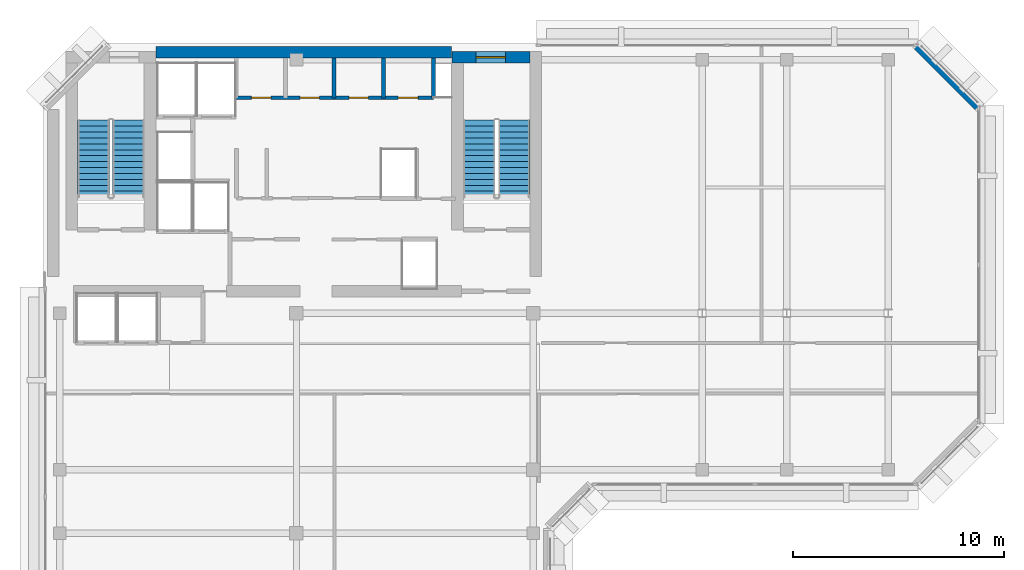
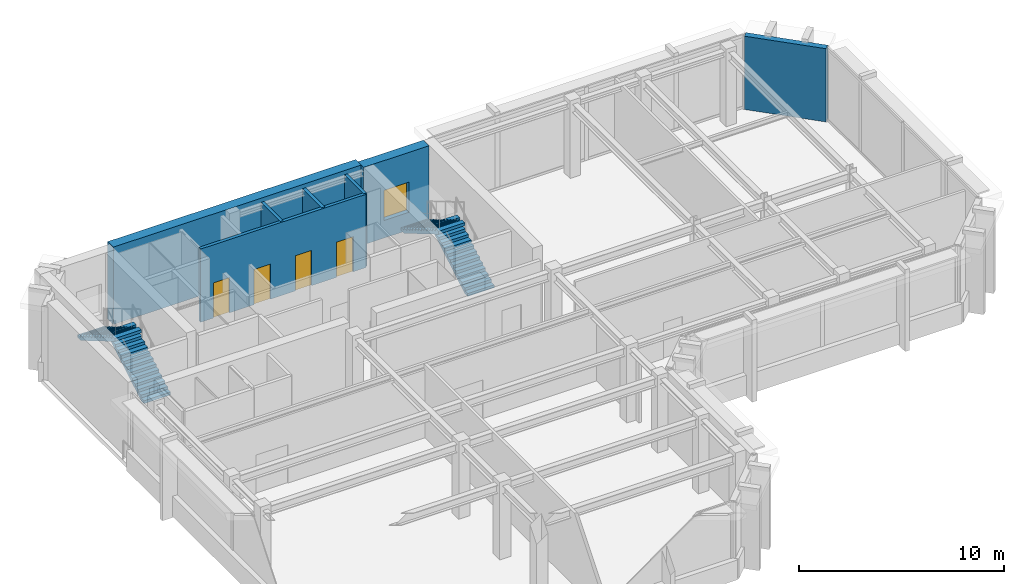
# One storey, part 6 of 9: 7 walls, 4 doors, 4 stair flights, 1 window, 5 openings, 2 elements without a shape of their own.
"""IFC4 building model written with IfcOpenShell, lengths in metres."""

from ifc_helpers import new_model, si_unit, direction, frame, frame_2d, origin, place, context, subcontext, project, spatial, polyline, rectangle, outline, extrude, material, layer, layer_set, type_object, element, fill, aggregate, save


model = new_model("IFC4")

# Units and contexts
model_context = context("Model", 3, precision=1e-05, world=origin(), true_north=direction((0.0, 1.0)))
body_context = subcontext(model_context, "Body", "Model", "MODEL_VIEW")
ifc_project = project(units=[si_unit("LENGTHUNIT", "METRE"), si_unit("AREAUNIT", "SQUARE_METRE"), si_unit("VOLUMEUNIT", "CUBIC_METRE"), si_unit("PLANEANGLEUNIT", "RADIAN"), si_unit("MASSUNIT", "GRAM", prefix="KILO")], contexts=[model_context])

# Site, building, storey
site_placement = place(None, origin())
site = spatial("IfcSite", under=ifc_project, at=site_placement, CompositionType="ELEMENT")
building_placement = place(site_placement, origin())
building = spatial("IfcBuilding", under=site, at=building_placement, Name="Kefirva Bronze Tower", CompositionType="ELEMENT")
storey_placement = place(building_placement, frame((0.0, 0.0, 352.110107421875)))
storey = spatial("IfcBuildingStorey", under=building, at=storey_placement, Name="L86", CompositionType="ELEMENT", Elevation=352.110107421875)

# Walls
ifc_material_1 = material(Name="Precast concrete C40/50", Category="concrete")
ifc_layer_1 = layer(ifc_material_1, 0.320068359375, Name="Precast concrete C40/50")
ifc_layer_set_1 = layer_set([ifc_layer_1], Name="Precast concrete C40/50")
wall_type_1 = type_object("IfcWallType", Name="Precast Insulated Exterior Wall 320mm", PredefinedType="SOLIDWALL", material=ifc_layer_set_1)
wall_1_placement = place(storey_placement, frame((44.248046875, 42.92578125, 0.0), z_axis=(0.0, 0.0, 1.0), x_axis=(-0.707136318428, 0.707077242712, 0.0)))
element("IfcWall", 1, at=wall_1_placement, inside=storey, type_object=wall_type_1, Name="L86 Exterior Facade Wall 5", PredefinedType="SOLIDWALL", context=body_context, shape_type="SweptSolid", body=[
    extrude(rectangle(XDim=4.132568359375, YDim=0.320068359375, at=frame_2d((2.06640625, 0.0))), origin(), (0.0, 0.0, 1.0), 4.369873046875),
])
ifc_material_2 = material(Name="Concrete C50/60", Category="concrete")
ifc_layer_2 = layer(ifc_material_2, 0.550048828125, Name="Concrete C50/60")
ifc_layer_set_2 = layer_set([ifc_layer_2], Name="Concrete C50/60")
wall_type_2 = type_object("IfcWallType", Name="RC Rear Core Exterior Wall 550mm", PredefinedType="SHEAR", material=ifc_layer_set_2)
wall_2_placement = place(storey_placement, frame((5.360107421875, 45.550048828125, 0.0), z_axis=(0.0, 0.0, 1.0), x_axis=(1.0, 0.0, 0.0)))
element("IfcWall", 2, at=wall_2_placement, inside=storey, type_object=wall_type_2, Name="L86 Rear Core North Shear Wall", PredefinedType="SHEAR", context=body_context, shape_type="SweptSolid", body=[
    extrude(rectangle(XDim=13.97998046875, YDim=0.550048828125, at=frame_2d((6.989990234375, 0.0))), origin(), (0.0, 0.0, 1.0), 4.619873046875),
])

# Wall, opening, window
wall_3_placement = place(storey_placement, frame((19.35009765625, 45.320068359375, 0.0), z_axis=(0.0, 0.0, 1.0), x_axis=(1.0, 0.0, 0.0)))
wall_3 = element("IfcWall", 3, at=wall_3_placement, inside=storey, type_object=wall_type_2, Name="L86 Stair 2 North Shear Wall", PredefinedType="SHEAR", context=body_context, shape_type="SweptSolid", body=[
    extrude(rectangle(XDim=3.68994140625, YDim=0.550048828125, at=frame_2d((1.844970703125, 0.0))), origin(), (0.0, 0.0, 1.0), 4.619873046875),
])
opening_1_placement = place(wall_3_placement, frame((1.14990234375, 0.0, 1.050048828125)))
opening_1 = element("IfcOpeningElement", 4, at=opening_1_placement, cuts=wall_3, Name="Opening WN-03", PredefinedType="OPENING", context=body_context, shape_type="SweptSolid", body=[
    extrude(rectangle(XDim=1.39990234375, YDim=1.800048828125, at=frame_2d((0.699951171875, 0.89990234375))), frame((0.0, 0.28515625, 0.0), z_axis=(0.0, -1.0, 0.0), x_axis=(1.0, 0.0, 0.0)), (0.0, 0.0, 1.0), 0.570068359375),
])
ifc_material_3 = material(Name="Laminated low-E double glazing", Category="glass")
window_type = type_object("IfcWindowType", Name="Rear-Core Stair Daylight Window 1400x1800", PartitioningType="SINGLE_PANEL", PredefinedType="WINDOW", material=ifc_material_3)
window_placement = place(opening_1_placement, origin())
window = element("IfcWindow", 5, at=window_placement, inside=storey, type_object=window_type, Name="L86 Stair 2 Daylight Window", OverallHeight=1.800048828125, OverallWidth=1.39990234375, PartitioningType="SINGLE_PANEL", PredefinedType="WINDOW", context=body_context, shape_type="SweptSolid", body=[
    extrude(rectangle(XDim=1.39990234375, YDim=1.800048828125, at=frame_2d((0.699951171875, 0.89990234375))), frame((0.0, 0.030029296875, 0.0), z_axis=(0.0, -1.0, 0.0), x_axis=(1.0, 0.0, 0.0)), (0.0, 0.0, 1.0), 0.06005859375),
])
fill(opening_1, window)

# Wall, openings, doors
ifc_material_4 = material(Name="Moisture-resistant partition")
ifc_layer_3 = layer(ifc_material_4, 0.179931640625, Name="Moisture-resistant partition")
ifc_layer_set_3 = layer_set([ifc_layer_3], Name="Moisture-resistant partition")
wall_type_3 = type_object("IfcWallType", Name="Sanitary Plumbing Chase Wall 180mm", PredefinedType="PLUMBINGWALL", material=ifc_layer_set_3)
wall_4_placement = place(storey_placement, frame((9.14990234375, 43.39990234375, 0.0), z_axis=(0.0, 0.0, 1.0), x_axis=(1.0, 0.0, 0.0)))
wall_4 = element("IfcWall", 6, at=wall_4_placement, inside=storey, type_object=wall_type_3, Name="L86 Partition W-L86-SVCS", PredefinedType="PLUMBINGWALL", context=body_context, shape_type="SweptSolid", body=[
    extrude(rectangle(XDim=9.330078125, YDim=0.179931640625, at=frame_2d((4.6650390625, 0.0))), origin(), (0.0, 0.0, 1.0), 4.369873046875),
])
opening_2_placement = place(wall_4_placement, frame((0.719970703125, 0.0, 0.0)))
opening_2 = element("IfcOpeningElement", 7, at=opening_2_placement, cuts=wall_4, Name="Opening L86-D-CSVC1", PredefinedType="OPENING", context=body_context, shape_type="SweptSolid", body=[
    extrude(rectangle(XDim=0.919921875, YDim=2.10009765625, at=frame_2d((0.4599609375, 1.050048828125))), frame((0.0, 0.10009765625, 0.0), z_axis=(0.0, -1.0, 0.0), x_axis=(1.0, 0.0, 0.0)), (0.0, 0.0, 1.0), 0.199951171875),
])
opening_3_placement = place(wall_4_placement, frame((3.02001953125, 0.0, 0.0)))
opening_3 = element("IfcOpeningElement", 8, at=opening_3_placement, cuts=wall_4, Name="Opening L86-D-CSVC2", PredefinedType="OPENING", context=body_context, shape_type="SweptSolid", body=[
    extrude(rectangle(XDim=0.919921875, YDim=2.10009765625, at=frame_2d((0.4599609375, 1.050048828125))), frame((0.0, 0.10009765625, 0.0), z_axis=(0.0, -1.0, 0.0), x_axis=(1.0, 0.0, 0.0)), (0.0, 0.0, 1.0), 0.199951171875),
])
opening_4_placement = place(wall_4_placement, frame((5.340087890625, 0.0, 0.0)))
opening_4 = element("IfcOpeningElement", 9, at=opening_4_placement, cuts=wall_4, Name="Opening L86-D-CSVC3", PredefinedType="OPENING", context=body_context, shape_type="SweptSolid", body=[
    extrude(rectangle(XDim=0.919921875, YDim=2.10009765625, at=frame_2d((0.4599609375, 1.050048828125))), frame((0.0, 0.10009765625, 0.0), z_axis=(0.0, -1.0, 0.0), x_axis=(1.0, 0.0, 0.0)), (0.0, 0.0, 1.0), 0.199951171875),
])
opening_5_placement = place(wall_4_placement, frame((7.659912109375, 0.0, 0.0)))
opening_5 = element("IfcOpeningElement", 10, at=opening_5_placement, cuts=wall_4, Name="Opening L86-D-CSVC4", PredefinedType="OPENING", context=body_context, shape_type="SweptSolid", body=[
    extrude(rectangle(XDim=0.949951171875, YDim=2.10009765625, at=frame_2d((0.47509765625, 1.050048828125))), frame((0.0, 0.10009765625, 0.0), z_axis=(0.0, -1.0, 0.0), x_axis=(1.0, 0.0, 0.0)), (0.0, 0.0, 1.0), 0.199951171875),
])
ifc_material_5 = material(Name="Moisture-resistant timber", Category="wood")
door_type_1 = type_object("IfcDoorType", Name="Accessible Sanitary & WC Door 920x2100", OperationType="NOTDEFINED", PredefinedType="DOOR", material=ifc_material_5)
door_1_placement = place(opening_2_placement, origin())
door_1 = element("IfcDoor", 11, at=door_1_placement, inside=storey, type_object=door_type_1, Name="Door L86-D-CSVC1", OperationType="SINGLE_SWING_LEFT", OverallHeight=2.10009765625, OverallWidth=0.919921875, PredefinedType="DOOR", context=body_context, shape_type="SweptSolid", body=[
    extrude(rectangle(XDim=0.919921875, YDim=2.10009765625, at=frame_2d((0.4599609375, 1.050048828125))), frame((0.0, 0.02490234375, 0.0), z_axis=(0.0, -1.0, 0.0), x_axis=(1.0, 0.0, 0.0)), (0.0, 0.0, 1.0), 0.050048828125),
])
fill(opening_2, door_1)
door_2_placement = place(opening_3_placement, origin())
door_2 = element("IfcDoor", 12, at=door_2_placement, inside=storey, type_object=door_type_1, Name="Door L86-D-CSVC2", OperationType="SINGLE_SWING_RIGHT", OverallHeight=2.10009765625, OverallWidth=0.919921875, PredefinedType="DOOR", context=body_context, shape_type="SweptSolid", body=[
    extrude(rectangle(XDim=0.919921875, YDim=2.10009765625, at=frame_2d((0.4599609375, 1.050048828125))), frame((0.0, 0.02490234375, 0.0), z_axis=(0.0, -1.0, 0.0), x_axis=(1.0, 0.0, 0.0)), (0.0, 0.0, 1.0), 0.050048828125),
])
fill(opening_3, door_2)
door_3_placement = place(opening_4_placement, origin())
door_3 = element("IfcDoor", 13, at=door_3_placement, inside=storey, type_object=door_type_1, Name="Door L86-D-CSVC3", OperationType="SINGLE_SWING_LEFT", OverallHeight=2.10009765625, OverallWidth=0.919921875, PredefinedType="DOOR", context=body_context, shape_type="SweptSolid", body=[
    extrude(rectangle(XDim=0.919921875, YDim=2.10009765625, at=frame_2d((0.4599609375, 1.050048828125))), frame((0.0, 0.02490234375, 0.0), z_axis=(0.0, -1.0, 0.0), x_axis=(1.0, 0.0, 0.0)), (0.0, 0.0, 1.0), 0.050048828125),
])
fill(opening_4, door_3)
ifc_material_6 = material(Name="Painted galvanized steel", Category="steel")
door_type_2 = type_object("IfcDoorType", Name="Riser & Plant Shaft Fire Door 950x2100 FD60S", OperationType="NOTDEFINED", PredefinedType="DOOR", material=ifc_material_6)
door_4_placement = place(opening_5_placement, origin())
door_4 = element("IfcDoor", 14, at=door_4_placement, inside=storey, type_object=door_type_2, Name="Door L86-D-CSVC4", OperationType="SINGLE_SWING_RIGHT", OverallHeight=2.10009765625, OverallWidth=0.949951171875, PredefinedType="DOOR", context=body_context, shape_type="SweptSolid", body=[
    extrude(rectangle(XDim=0.949951171875, YDim=2.10009765625, at=frame_2d((0.47509765625, 1.050048828125))), frame((0.0, 0.02490234375, 0.0), z_axis=(0.0, -1.0, 0.0), x_axis=(1.0, 0.0, 0.0)), (0.0, 0.0, 1.0), 0.050048828125),
])
fill(opening_5, door_4)

# Walls
for number, where, z_axis, x_axis, name in (
    (15, (18.47998046875, 43.39990234375, 0.0), (0.0, 0.0, 1.0), (0.0, 1.0, 0.0), "L86 Partition W-L86-SVCE"),
    (16, (13.780029296875, 43.39990234375, 0.0), (0.0, 0.0, 1.0), (0.0, 1.0, 0.0), "L86 Partition W-L86-CSVD-2"),
    (17, (16.1201171875, 43.39990234375, 0.0), (0.0, 0.0, 1.0), (0.0, 1.0, 0.0), "L86 Partition W-L86-CSVD-3"),
):
    element("IfcWall", number, at=place(storey_placement, frame(where, z_axis=z_axis, x_axis=x_axis)), inside=storey, type_object=wall_type_3, Name=name, PredefinedType="PLUMBINGWALL", context=body_context, shape_type="SweptSolid", body=[
        extrude(rectangle(XDim=1.880126953125, YDim=0.179931640625, at=frame_2d((0.93994140625, 0.0))), origin(), (0.0, 0.0, 1.0), 4.369873046875),
    ])

# Stair, stair flights
ifc_material_7 = material(Name="Concrete C40/50", Category="concrete")
stair_type = type_object("IfcStairType", Name="RC Dogleg Protected Stair 28R", PredefinedType="HALF_TURN_STAIR", material=ifc_material_7)
stair_1_placement = place(storey_placement, origin())
stair_1 = element("IfcStair", 18, at=stair_1_placement, inside=storey, type_object=stair_type, Name="L86 Protected Exit Stair 1", PredefinedType="HALF_TURN_STAIR")
stair_flight_type = type_object("IfcStairFlightType", Name="RC Straight Stair Flight 28R", PredefinedType="STRAIGHT", material=ifc_material_7)
stair_flight_1_placement = place(storey_placement, frame((4.050048828125, 38.699951171875, 0.0), z_axis=(0.0, 0.0, 1.0), x_axis=(0.0, 1.0, 0.0)))
stair_flight_1 = element("IfcStairFlight", 19, at=stair_flight_1_placement, type_object=stair_flight_type, Name="ST-1 flight 1", NumberOfRisers=14, NumberOfTreads=13, PredefinedType="STRAIGHT", RiserHeight=0.165, TreadLength=0.28, context=body_context, shape_type="SweptSolid", body=[
    extrude(outline(polyline([(0.0, 0.0), (0.0, 0.1650390625), (0.280029296875, 0.1650390625), (0.280029296875, 0.330078125), (0.56005859375, 0.330078125), (0.56005859375, 0.4951171875), (0.840087890625, 0.4951171875), (0.840087890625, 0.659912109375), (1.1201171875, 0.659912109375), (1.1201171875, 0.824951171875), (1.39990234375, 0.824951171875), (1.39990234375, 0.989990234375), (1.679931640625, 0.989990234375), (1.679931640625, 1.155029296875), (1.9599609375, 1.155029296875), (1.9599609375, 1.320068359375), (2.239990234375, 1.320068359375), (2.239990234375, 1.485107421875), (2.52001953125, 1.485107421875), (2.52001953125, 1.64990234375), (2.800048828125, 1.64990234375), (2.800048828125, 1.81494140625), (3.080078125, 1.81494140625), (3.080078125, 1.97998046875), (3.360107421875, 1.97998046875), (3.360107421875, 2.14501953125), (3.639892578125, 2.14501953125), (3.639892578125, 2.31005859375), (3.639892578125, 1.970947265625), (0.295166015625, 0.0), (0.0, 0.0)])), frame((0.0, 0.75, 0.0), z_axis=(0.0, -1.0, 0.0), x_axis=(1.0, 0.0, 0.0)), (0.0, 0.0, 1.0), 1.5),
])
stair_flight_2_placement = place(storey_placement, frame((2.39990234375, 42.340087890625, 2.309814453125), z_axis=(0.0, 0.0, 1.0), x_axis=(0.0, -1.0, 0.0)))
stair_flight_2 = element("IfcStairFlight", 20, at=stair_flight_2_placement, type_object=stair_flight_type, Name="ST-1 flight 2", NumberOfRisers=14, NumberOfTreads=13, PredefinedType="STRAIGHT", RiserHeight=0.165, TreadLength=0.28, context=body_context, shape_type="SweptSolid", body=[
    extrude(outline(polyline([(0.0, 0.0), (0.0, 0.1650390625), (0.280029296875, 0.1650390625), (0.280029296875, 0.330078125), (0.56005859375, 0.330078125), (0.56005859375, 0.4951171875), (0.840087890625, 0.4951171875), (0.840087890625, 0.659912109375), (1.1201171875, 0.659912109375), (1.1201171875, 0.824951171875), (1.39990234375, 0.824951171875), (1.39990234375, 0.989990234375), (1.679931640625, 0.989990234375), (1.679931640625, 1.155029296875), (1.9599609375, 1.155029296875), (1.9599609375, 1.320068359375), (2.239990234375, 1.320068359375), (2.239990234375, 1.485107421875), (2.52001953125, 1.485107421875), (2.52001953125, 1.64990234375), (2.800048828125, 1.64990234375), (2.800048828125, 1.81494140625), (3.080078125, 1.81494140625), (3.080078125, 1.97998046875), (3.360107421875, 1.97998046875), (3.360107421875, 2.14501953125), (3.639892578125, 2.14501953125), (3.639892578125, 2.31005859375), (3.639892578125, 1.970947265625), (0.295166015625, 0.0), (0.0, 0.0)])), frame((0.0, 0.75, 0.0), z_axis=(0.0, -1.0, 0.0), x_axis=(1.0, 0.0, 0.0)), (0.0, 0.0, 1.0), 1.5),
])
aggregate(stair_1, [stair_flight_1, stair_flight_2])

stair_2_placement = place(storey_placement, origin())
stair_2 = element("IfcStair", 21, at=stair_2_placement, inside=storey, type_object=stair_type, Name="L86 Protected Exit Stair 2", PredefinedType="HALF_TURN_STAIR")
stair_flight_3_placement = place(storey_placement, frame((22.300048828125, 38.699951171875, 0.0), z_axis=(0.0, 0.0, 1.0), x_axis=(0.0, 1.0, 0.0)))
stair_flight_3 = element("IfcStairFlight", 22, at=stair_flight_3_placement, type_object=stair_flight_type, Name="ST-2 flight 1", NumberOfRisers=14, NumberOfTreads=13, PredefinedType="STRAIGHT", RiserHeight=0.165, TreadLength=0.28, context=body_context, shape_type="SweptSolid", body=[
    extrude(outline(polyline([(0.0, 0.0), (0.0, 0.1650390625), (0.280029296875, 0.1650390625), (0.280029296875, 0.330078125), (0.56005859375, 0.330078125), (0.56005859375, 0.4951171875), (0.840087890625, 0.4951171875), (0.840087890625, 0.659912109375), (1.1201171875, 0.659912109375), (1.1201171875, 0.824951171875), (1.39990234375, 0.824951171875), (1.39990234375, 0.989990234375), (1.679931640625, 0.989990234375), (1.679931640625, 1.155029296875), (1.9599609375, 1.155029296875), (1.9599609375, 1.320068359375), (2.239990234375, 1.320068359375), (2.239990234375, 1.485107421875), (2.52001953125, 1.485107421875), (2.52001953125, 1.64990234375), (2.800048828125, 1.64990234375), (2.800048828125, 1.81494140625), (3.080078125, 1.81494140625), (3.080078125, 1.97998046875), (3.360107421875, 1.97998046875), (3.360107421875, 2.14501953125), (3.639892578125, 2.14501953125), (3.639892578125, 2.31005859375), (3.639892578125, 1.970947265625), (0.295166015625, 0.0), (0.0, 0.0)])), frame((0.0, 0.75, 0.0), z_axis=(0.0, -1.0, 0.0), x_axis=(1.0, 0.0, 0.0)), (0.0, 0.0, 1.0), 1.5),
])
stair_flight_4_placement = place(storey_placement, frame((20.64990234375, 42.340087890625, 2.309814453125), z_axis=(0.0, 0.0, 1.0), x_axis=(0.0, -1.0, 0.0)))
stair_flight_4 = element("IfcStairFlight", 23, at=stair_flight_4_placement, type_object=stair_flight_type, Name="ST-2 flight 2", NumberOfRisers=14, NumberOfTreads=13, PredefinedType="STRAIGHT", RiserHeight=0.165, TreadLength=0.28, context=body_context, shape_type="SweptSolid", body=[
    extrude(outline(polyline([(0.0, 0.0), (0.0, 0.1650390625), (0.280029296875, 0.1650390625), (0.280029296875, 0.330078125), (0.56005859375, 0.330078125), (0.56005859375, 0.4951171875), (0.840087890625, 0.4951171875), (0.840087890625, 0.659912109375), (1.1201171875, 0.659912109375), (1.1201171875, 0.824951171875), (1.39990234375, 0.824951171875), (1.39990234375, 0.989990234375), (1.679931640625, 0.989990234375), (1.679931640625, 1.155029296875), (1.9599609375, 1.155029296875), (1.9599609375, 1.320068359375), (2.239990234375, 1.320068359375), (2.239990234375, 1.485107421875), (2.52001953125, 1.485107421875), (2.52001953125, 1.64990234375), (2.800048828125, 1.64990234375), (2.800048828125, 1.81494140625), (3.080078125, 1.81494140625), (3.080078125, 1.97998046875), (3.360107421875, 1.97998046875), (3.360107421875, 2.14501953125), (3.639892578125, 2.14501953125), (3.639892578125, 2.31005859375), (3.639892578125, 1.970947265625), (0.295166015625, 0.0), (0.0, 0.0)])), frame((0.0, 0.75, 0.0), z_axis=(0.0, -1.0, 0.0), x_axis=(1.0, 0.0, 0.0)), (0.0, 0.0, 1.0), 1.5),
])
aggregate(stair_2, [stair_flight_3, stair_flight_4])

save(model, "model.ifc")
